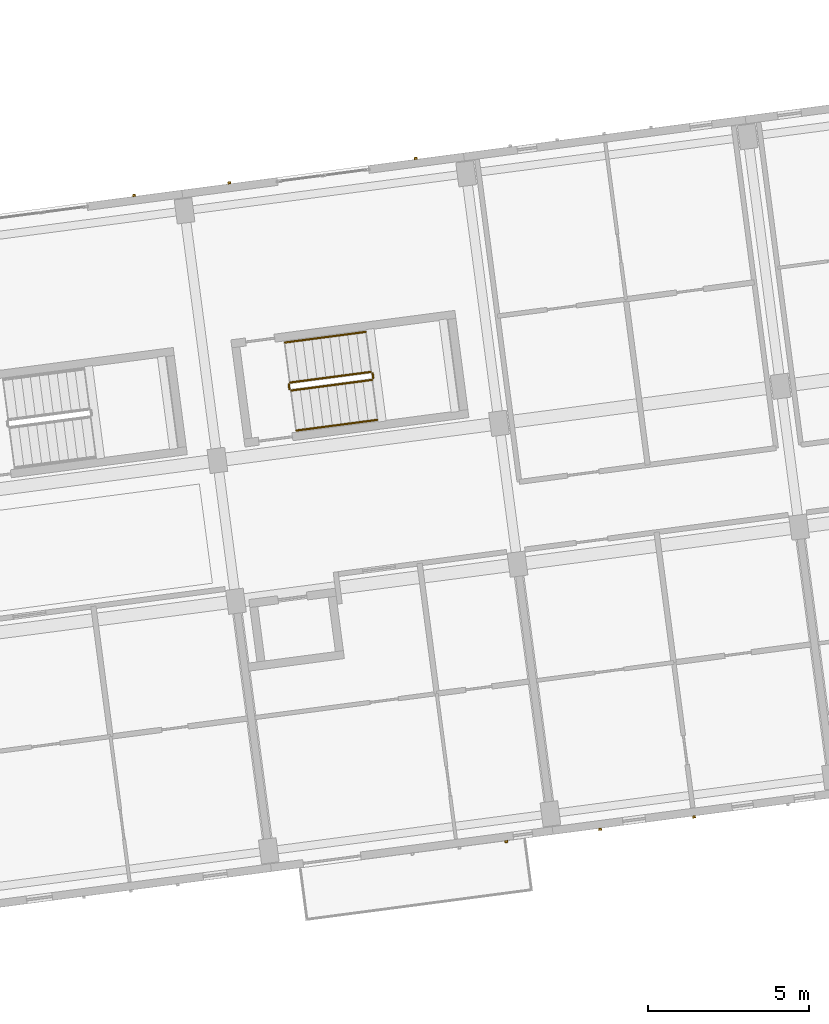
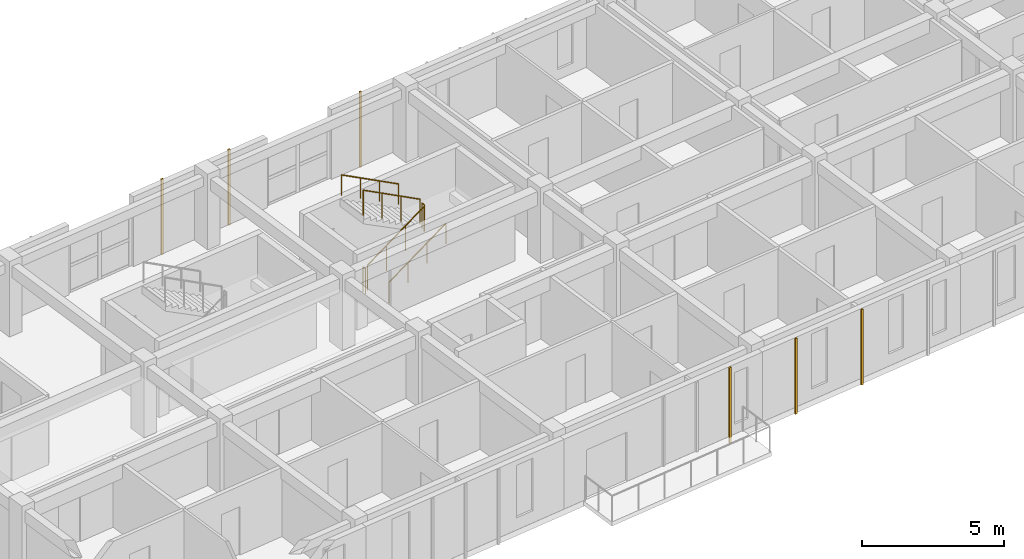
# One storey, part 45 of 66: 6 coverings, 6 railings.
"""IFC4 building model written with IfcOpenShell, lengths in metres."""

from ifc_helpers import new_model, si_unit, direction, frame, origin, origin_2d, place, context, subcontext, project, spatial, rectangle, circle, extrude, material, layer, layer_set, type_object, element, save


model = new_model("IFC4")

# Units and contexts
model_context = context("Model", 3, precision=1e-05, world=origin(), true_north=direction((0.0, 1.0)))
body_context = subcontext(model_context, "Body", "Model", "MODEL_VIEW")
ifc_project = project(units=[si_unit("LENGTHUNIT", "METRE"), si_unit("AREAUNIT", "SQUARE_METRE"), si_unit("VOLUMEUNIT", "CUBIC_METRE"), si_unit("PLANEANGLEUNIT", "RADIAN"), si_unit("MASSUNIT", "GRAM", prefix="KILO")], contexts=[model_context])

# Site, building, storey
site_placement = place(None, origin())
site = spatial("IfcSite", under=ifc_project, at=site_placement, CompositionType="ELEMENT")
building_placement = place(site_placement, origin())
building = spatial("IfcBuilding", under=site, at=building_placement, Name="Kestramere Prow Commons", CompositionType="ELEMENT")
storey_placement = place(building_placement, frame((0.0, 0.0, 14.89990234375)))
storey = spatial("IfcBuildingStorey", under=building, at=storey_placement, Name="L04", CompositionType="ELEMENT", Elevation=14.89990234375)

# Coverings
ifc_material_1 = material(Name="Weathered Zinc-Titanium Standing-Seam Cladding")
ifc_layer = layer(ifc_material_1, 0.074951171875)
ifc_layer_set = layer_set([ifc_layer], Name="Weathered Zinc-Titanium Standing-Seam Cladding")
covering_type = type_object("IfcCoveringType", Name="COV-CLAD-SEAM", PredefinedType="CLADDING", material=ifc_layer_set)
for number, where, z_axis, x_axis, name in (
    (1, (36.008544921875, 74.582763671875, -0.25), (0.0, 0.0, 1.0), (-0.991444861374, -0.13052619222, 0.0), "EW-A-L04-S-2 Standing-Seam Rib 1"),
    (2, (41.824951171875, 75.348388671875, -0.25), (0.0, 0.0, 1.0), (-0.991444861374, -0.13052619222, 0.0), "EW-A-L04-S-3 Standing-Seam Rib 3"),
    (3, (38.916748046875, 74.965576171875, -0.25), (0.0, 0.0, 1.0), (-0.991444861374, -0.13052619222, 0.0), "EW-A-L04-S-3 Standing-Seam Rib 5"),
    (4, (24.4755859375, 94.603759765625, -0.25), (0.0, 0.0, 1.0), (0.991444861374, 0.13052619222, 0.0), "EW-A-L04-NP-1-R Standing-Seam Rib 1"),
    (5, (27.42529296875, 94.991943359375, -0.25), (0.0, 0.0, 1.0), (0.991444861374, 0.13052619222, 0.0), "EW-A-L04-NP-2-L Standing-Seam Rib 1"),
    (6, (33.200439453125, 95.75244140625, -0.25), (0.0, 0.0, 1.0), (0.991444861374, 0.13052619222, 0.0), "EW-A-L04-NP-2-R Standing-Seam Rib 1"),
):
    element("IfcCovering", number, at=place(storey_placement, frame(where, z_axis=z_axis, x_axis=x_axis)), inside=storey, type_object=covering_type, Name=name, PredefinedType="CLADDING", context=body_context, shape_type="SweptSolid", body=[
        extrude(rectangle(XDim=0.0849609375, YDim=0.06494140625, at=origin_2d()), origin(), (0.0, 0.0, 1.0), 3.25),
    ])

# Railings
ifc_material_2 = material(Name="Galvanised Steel S275JR", Category="steel")
railing_type_1 = type_object("IfcRailingType", Name="RL-ST-GR-1100", PredefinedType="GUARDRAIL", material=ifc_material_2)
railing_1_placement = place(storey_placement, frame((29.34375, 88.559814453125, 0.16259765625)))
element("IfcRailing", 7, at=railing_1_placement, inside=storey, type_object=railing_type_1, Name="L04 ST-A2 stair guard 1", PredefinedType="GUARDRAIL", context=body_context, shape_type="SweptSolid", body=[
    extrude(circle(Radius=0.02392578125, at=origin_2d()), frame((0.0, 0.0, 1.076171875), z_axis=(0.857492745196, 0.112958098361, 0.501942885148), x_axis=(-0.130602379397, 0.991434828164, 0.0)), (0.0, 0.0, 1.0), 2.91357421875),
    extrude(circle(Radius=0.02099609375, at=origin_2d()), origin(), (0.0, 0.0, 1.0), 1.052001953125),
    extrude(circle(Radius=0.02099609375, at=origin_2d()), frame((0.832763671875, 0.109619140625, 0.487548828125)), (0.0, 0.0, 1.0), 1.052001953125),
    extrude(circle(Radius=0.02099609375, at=origin_2d()), frame((1.66552734375, 0.219482421875, 0.974853515625)), (0.0, 0.0, 1.0), 1.052001953125),
    extrude(circle(Radius=0.02099609375, at=origin_2d()), frame((2.498291015625, 0.3291015625, 1.46240234375)), (0.0, 0.0, 1.0), 1.052001953125),
])
railing_2_placement = place(storey_placement, frame((31.88525390625, 88.94482421875, 1.625)))
element("IfcRailing", 8, at=railing_2_placement, inside=storey, type_object=railing_type_1, Name="L04 ST-A2 stair guard 2", PredefinedType="GUARDRAIL", context=body_context, shape_type="SweptSolid", body=[
    extrude(circle(Radius=0.02392578125, at=origin_2d()), frame((0.0, 0.0, 1.076171875), z_axis=(-0.1300340368, 0.991509530601, 0.0), x_axis=(-0.991509530601, -0.1300340368, 0.0)), (0.0, 0.0, 1.0), 0.150146484375),
    extrude(circle(Radius=0.02099609375, at=origin_2d()), origin(), (0.0, 0.0, 1.0), 1.052001953125),
    extrude(circle(Radius=0.02099609375, at=origin_2d()), frame((-0.01953125, 0.14892578125, 0.0)), (0.0, 0.0, 1.0), 1.052001953125),
])
railing_3_placement = place(storey_placement, frame((31.8095703125, 89.13671875, 1.78759765625)))
element("IfcRailing", 9, at=railing_3_placement, inside=storey, type_object=railing_type_1, Name="L04 ST-A2 stair guard 3", PredefinedType="GUARDRAIL", context=body_context, shape_type="SweptSolid", body=[
    extrude(circle(Radius=0.02392578125, at=origin_2d()), frame((0.0, 0.0, 1.076171875), z_axis=(-0.85752303711, -0.112867259233, 0.501911568525), x_axis=(0.130494608992, -0.991449018873, 0.0)), (0.0, 0.0, 1.0), 2.91357421875),
    extrude(circle(Radius=0.02099609375, at=origin_2d()), origin(), (0.0, 0.0, 1.0), 1.052001953125),
    extrude(circle(Radius=0.02099609375, at=origin_2d()), frame((-0.832763671875, -0.109619140625, 0.487548828125)), (0.0, 0.0, 1.0), 1.052001953125),
    extrude(circle(Radius=0.02099609375, at=origin_2d()), frame((-1.665771484375, -0.21923828125, 0.974853515625)), (0.0, 0.0, 1.0), 1.052001953125),
    extrude(circle(Radius=0.02099609375, at=origin_2d()), frame((-2.49853515625, -0.328857421875, 1.46240234375)), (0.0, 0.0, 1.0), 1.052001953125),
])
railing_4_placement = place(storey_placement, frame((29.28759765625, 88.60302734375, 0.0)))
element("IfcRailing", 10, at=railing_4_placement, inside=storey, type_object=railing_type_1, Name="L04 ST-A2 stair guard 4", PredefinedType="GUARDRAIL", context=body_context, shape_type="SweptSolid", body=[
    extrude(circle(Radius=0.02392578125, at=origin_2d()), frame((0.0, 0.0, 1.076171875), z_axis=(-0.130243938252, 0.991481979941, 0.0), x_axis=(-0.991481979941, -0.130243938252, 0.0)), (0.0, 0.0, 1.0), 0.14990234375),
    extrude(circle(Radius=0.02099609375, at=origin_2d()), origin(), (0.0, 0.0, 1.0), 1.052001953125),
    extrude(circle(Radius=0.02099609375, at=origin_2d()), frame((-0.01953125, 0.148681640625, 0.0)), (0.0, 0.0, 1.0), 1.052001953125),
])
ifc_material_3 = material(Name="Stainless Steel 304", Category="steel")
railing_type_2 = type_object("IfcRailingType", Name="RL-ST-HR-900", PredefinedType="HANDRAIL", material=ifc_material_3)
railing_5_placement = place(storey_placement, frame((29.5068359375, 87.320556640625, 0.3251953125)))
element("IfcRailing", 11, at=railing_5_placement, inside=storey, type_object=railing_type_2, Name="L04 ST-A2 stair handrail 1", PredefinedType="HANDRAIL", context=body_context, shape_type="SweptSolid", body=[
    extrude(circle(Radius=0.02392578125, at=origin_2d()), frame((0.0, 0.0, 0.8759765625), z_axis=(0.85752303711, 0.112867259233, 0.501911568525), x_axis=(-0.130494608992, 0.991449018873, 0.0)), (0.0, 0.0, 1.0), 2.91357421875),
    extrude(circle(Radius=0.02099609375, at=origin_2d()), origin(), (0.0, 0.0, 1.0), 0.851806640625),
    extrude(circle(Radius=0.02099609375, at=origin_2d()), frame((0.832763671875, 0.109619140625, 0.487548828125)), (0.0, 0.0, 1.0), 0.851806640625),
    extrude(circle(Radius=0.02099609375, at=origin_2d()), frame((1.665771484375, 0.21923828125, 0.974853515625)), (0.0, 0.0, 1.0), 0.851806640625),
    extrude(circle(Radius=0.02099609375, at=origin_2d()), frame((2.49853515625, 0.328857421875, 1.46240234375)), (0.0, 0.0, 1.0), 0.851806640625),
])
railing_6_placement = place(storey_placement, frame((31.646484375, 90.3759765625, 1.9501953125)))
element("IfcRailing", 12, at=railing_6_placement, inside=storey, type_object=railing_type_2, Name="L04 ST-A2 stair handrail 2", PredefinedType="HANDRAIL", context=body_context, shape_type="SweptSolid", body=[
    extrude(circle(Radius=0.02392578125, at=origin_2d()), frame((0.0, 0.0, 0.8759765625), z_axis=(-0.85752303711, -0.112867259233, 0.501911568525), x_axis=(0.130494608992, -0.991449018873, 0.0)), (0.0, 0.0, 1.0), 2.91357421875),
    extrude(circle(Radius=0.02099609375, at=origin_2d()), origin(), (0.0, 0.0, 1.0), 0.851806640625),
    extrude(circle(Radius=0.02099609375, at=origin_2d()), frame((-0.832763671875, -0.109619140625, 0.487548828125)), (0.0, 0.0, 1.0), 0.851806640625),
    extrude(circle(Radius=0.02099609375, at=origin_2d()), frame((-1.665771484375, -0.21923828125, 0.974853515625)), (0.0, 0.0, 1.0), 0.851806640625),
    extrude(circle(Radius=0.02099609375, at=origin_2d()), frame((-2.49853515625, -0.328857421875, 1.46240234375)), (0.0, 0.0, 1.0), 0.851806640625),
])

save(model, "model.ifc")
